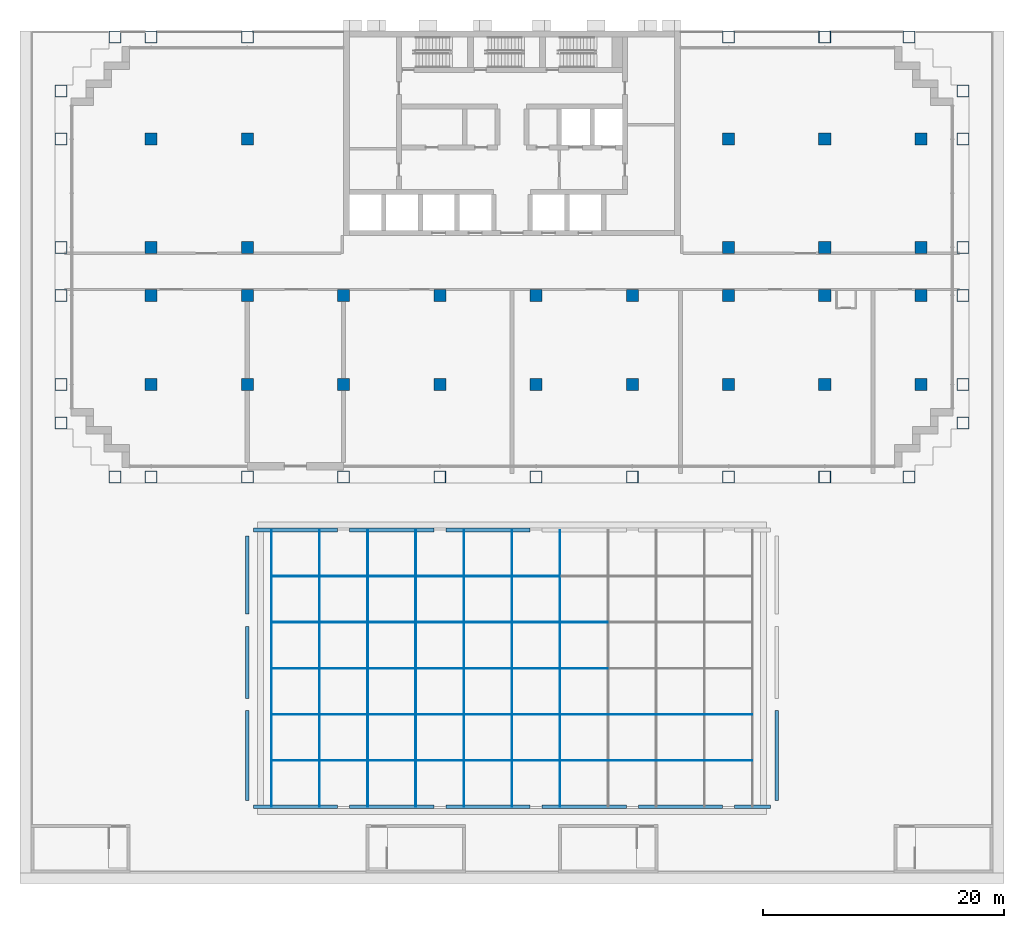
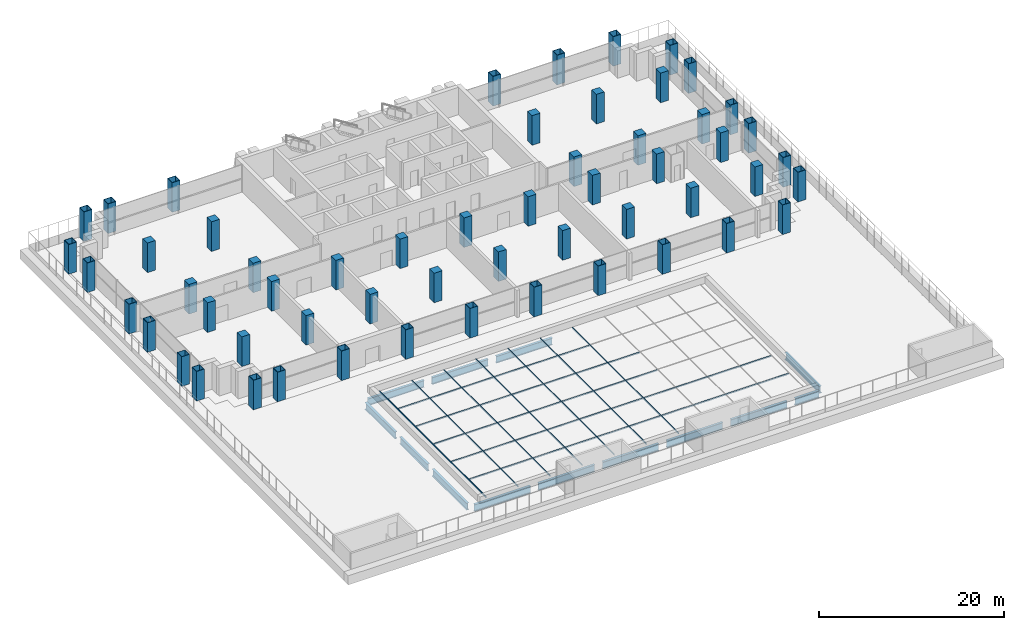
# One storey, part 1 of 16: 56 columns, 47 members, 13 beams, 1 element without a shape of its own.
"""IFC4 building model written with IfcOpenShell, lengths in metres."""

from ifc_helpers import new_model, si_unit, direction, frame, origin, origin_2d, place, context, subcontext, project, spatial, rectangle, hollow_rectangle, i_section, extrude, material, material_profile, profile_set, type_object, element, aggregate, save


model = new_model("IFC4")

# Units and contexts
model_context = context("Model", 3, precision=1e-05, world=origin(), true_north=direction((0.0, 1.0)))
body_context = subcontext(model_context, "Body", "Model", "MODEL_VIEW")
ifc_project = project(units=[si_unit("LENGTHUNIT", "METRE"), si_unit("AREAUNIT", "SQUARE_METRE"), si_unit("VOLUMEUNIT", "CUBIC_METRE"), si_unit("PLANEANGLEUNIT", "RADIAN"), si_unit("MASSUNIT", "GRAM", prefix="KILO")], contexts=[model_context])

# Site, building, storey
site_placement = place(None, origin())
site = spatial("IfcSite", under=ifc_project, at=site_placement, CompositionType="ELEMENT")
building_placement = place(site_placement, origin())
building = spatial("IfcBuilding", under=site, at=building_placement, Name="Vidyagriha Tower", CompositionType="ELEMENT")
storey_placement = place(building_placement, frame((0.0, 0.0, 26.0)))
storey = spatial("IfcBuildingStorey", under=building, at=storey_placement, Name="L06", CompositionType="ELEMENT", Elevation=26.0)

# Columns
ifc_material_1 = material(Name="Steel ASTM A572 Grade 50", Category="steel")
ifc_material_profile_1 = material_profile(ifc_material_1, hollow_rectangle(XDim=1.0, YDim=1.0, WallThickness=0.050048828125, at=origin_2d()), Name="BOX 1000x1000x50")
ifc_profile_set_1 = profile_set([ifc_material_profile_1], Name="Steel ASTM A572 Grade 50")
column_type_1 = type_object("IfcColumnType", Name="Exoskeleton column BOX 1000x1000x50", PredefinedType="COLUMN", material=ifc_profile_set_1)
for number, where, name in (
    (1, (-33.0, -17.10009765625, 0.0), "st-col-L06-B1-001"),
    (2, (-30.0, -17.10009765625, 0.0), "st-col-L06-B1-002"),
    (3, (-22.0, -17.10009765625, 0.0), "st-col-L06-B1-003"),
    (4, (-14.0, -17.10009765625, 0.0), "st-col-L06-B1-004"),
    (5, (-6.0, -17.10009765625, 0.0), "st-col-L06-B1-005"),
    (6, (2.0, -17.10009765625, 0.0), "st-col-L06-B1-006"),
    (7, (10.0, -17.10009765625, 0.0), "st-col-L06-B1-007"),
    (8, (18.0, -17.10009765625, 0.0), "st-col-L06-B1-008"),
    (9, (26.0, -17.10009765625, 0.0), "st-col-L06-B1-009"),
    (10, (33.0, -17.10009765625, 0.0), "st-col-L06-B1-010"),
    (11, (-37.5, -12.60009765625, 0.0), "st-col-L06-B1-011"),
    (12, (37.5, -12.60009765625, 0.0), "st-col-L06-B1-012"),
    (13, (-37.5, -9.39990234375, 0.0), "st-col-L06-B1-013"),
    (14, (37.5, -9.39990234375, 0.0), "st-col-L06-B1-023"),
    (15, (-37.5, -2.0, 0.0), "st-col-L06-B1-024"),
    (16, (37.5, -2.0, 0.0), "st-col-L06-B1-034"),
    (17, (-37.5, 2.0, 0.0), "st-col-L06-B1-035"),
    (18, (37.5, 2.0, 0.0), "st-col-L06-B1-041"),
    (19, (-37.5, 11.0, 0.0), "st-col-L06-B1-042"),
    (20, (37.5, 11.0, 0.0), "st-col-L06-B1-048"),
    (21, (-37.5, 15.0, 0.0), "st-col-L06-B1-049"),
    (22, (37.5, 15.0, 0.0), "st-col-L06-B1-050"),
    (23, (-33.0, 19.5, 0.0), "st-col-L06-B1-051"),
    (24, (-30.0, 19.5, 0.0), "st-col-L06-B1-052"),
    (25, (-22.0, 19.5, 0.0), "st-col-L06-B1-053"),
    (26, (18.0, 19.5, 0.0), "st-col-L06-B1-054"),
    (27, (26.0, 19.5, 0.0), "st-col-L06-B1-055"),
    (28, (33.0, 19.5, 0.0), "st-col-L06-B1-056"),
):
    element("IfcColumn", number, at=place(storey_placement, frame(where)), inside=storey, type_object=column_type_1, Name=name, PredefinedType="COLUMN", context=body_context, shape_type="SweptSolid", body=[
        extrude(hollow_rectangle(XDim=1.0, YDim=1.0, WallThickness=0.050048828125, at=origin_2d()), origin(), (0.0, 0.0, 1.0), 3.89990234375),
    ])
ifc_material_2 = material(Name="Concrete C80/95", Category="concrete")
ifc_material_profile_2 = material_profile(ifc_material_2, rectangle(XDim=1.0, YDim=1.0, at=origin_2d()), Name="RC 1000x1000")
ifc_profile_set_2 = profile_set([ifc_material_profile_2], Name="Concrete C80/95")
column_type_2 = type_object("IfcColumnType", Name="Frame column RC 1000x1000", PredefinedType="COLUMN", material=ifc_profile_set_2)
for number, where, name in (
    (29, (-30.0, -9.39990234375, 0.0), "st-col-L06-B1-014"),
    (30, (-22.0, -9.39990234375, 0.0), "st-col-L06-B1-015"),
    (31, (-14.0, -9.39990234375, 0.0), "st-col-L06-B1-016"),
    (32, (-6.0, -9.39990234375, 0.0), "st-col-L06-B1-017"),
    (33, (2.0, -9.39990234375, 0.0), "st-col-L06-B1-018"),
    (34, (10.0, -9.39990234375, 0.0), "st-col-L06-B1-019"),
    (35, (18.0, -9.39990234375, 0.0), "st-col-L06-B1-020"),
    (36, (26.0, -9.39990234375, 0.0), "st-col-L06-B1-021"),
    (37, (34.0, -9.39990234375, 0.0), "st-col-L06-B1-022"),
    (38, (-30.0, -2.0, 0.0), "st-col-L06-B1-025"),
    (39, (-22.0, -2.0, 0.0), "st-col-L06-B1-026"),
    (40, (-14.0, -2.0, 0.0), "st-col-L06-B1-027"),
    (41, (-6.0, -2.0, 0.0), "st-col-L06-B1-028"),
    (42, (2.0, -2.0, 0.0), "st-col-L06-B1-029"),
    (43, (10.0, -2.0, 0.0), "st-col-L06-B1-030"),
    (44, (18.0, -2.0, 0.0), "st-col-L06-B1-031"),
    (45, (26.0, -2.0, 0.0), "st-col-L06-B1-032"),
    (46, (34.0, -2.0, 0.0), "st-col-L06-B1-033"),
    (47, (-30.0, 2.0, 0.0), "st-col-L06-B1-036"),
    (48, (-22.0, 2.0, 0.0), "st-col-L06-B1-037"),
    (49, (18.0, 2.0, 0.0), "st-col-L06-B1-038"),
    (50, (26.0, 2.0, 0.0), "st-col-L06-B1-039"),
    (51, (34.0, 2.0, 0.0), "st-col-L06-B1-040"),
    (52, (-30.0, 11.0, 0.0), "st-col-L06-B1-043"),
    (53, (-22.0, 11.0, 0.0), "st-col-L06-B1-044"),
    (54, (18.0, 11.0, 0.0), "st-col-L06-B1-045"),
    (55, (26.0, 11.0, 0.0), "st-col-L06-B1-046"),
    (56, (34.0, 11.0, 0.0), "st-col-L06-B1-047"),
):
    element("IfcColumn", number, at=place(storey_placement, frame(where)), inside=storey, type_object=column_type_2, Name=name, PredefinedType="COLUMN", context=body_context, shape_type="SweptSolid", body=[
        extrude(rectangle(XDim=1.0, YDim=1.0, at=origin_2d()), origin(), (0.0, 0.0, 1.0), 3.89990234375),
    ])

# Beams
ifc_material_3 = material(Name="Steel ASTM A992 Grade 50", Category="steel")
ifc_material_profile_3 = material_profile(ifc_material_3, i_section(OverallWidth=0.303955078125, OverallDepth=0.911865234375, WebThickness=0.015869140625, FlangeThickness=0.02392578125, at=origin_2d()), Name="W36X150")
ifc_profile_set_3 = profile_set([ifc_material_profile_3], Name="Steel ASTM A992 Grade 50")
beam_type = type_object("IfcBeamType", Name="Atrium roof ring girder W36X150", PredefinedType="BEAM", material=ifc_profile_set_3)
for number, where, z_axis, x_axis, name in (
    (57, (-21.5, -44.5, -0.755859375), (1.0, 0.0, 0.0), (0.0, 1.0, 0.0), "st-beam-L06-AT01"),
    (58, (-13.5, -44.5, -0.755859375), (1.0, 0.0, 0.0), (0.0, 1.0, 0.0), "st-beam-L06-AT02"),
    (59, (-5.5, -44.5, -0.755859375), (1.0, 0.0, 0.0), (0.0, 1.0, 0.0), "st-beam-L06-AT03"),
    (60, (2.5, -44.5, -0.755859375), (1.0, 0.0, 0.0), (0.0, 1.0, 0.0), "st-beam-L06-AT04"),
    (61, (10.5, -44.5, -0.755859375), (1.0, 0.0, 0.0), (0.0, 1.0, 0.0), "st-beam-L06-AT05"),
):
    element("IfcBeam", number, at=place(storey_placement, frame(where, z_axis=z_axis, x_axis=x_axis)), inside=storey, type_object=beam_type, Name=name, PredefinedType="BEAM", context=body_context, shape_type="SweptSolid", body=[
        extrude(i_section(OverallWidth=0.303955078125, OverallDepth=0.911865234375, WebThickness=0.015869140625, FlangeThickness=0.02392578125, at=origin_2d()), origin(), (0.0, 0.0, 1.0), 7.0),
    ])
beam_1_placement = place(storey_placement, frame((18.5, -44.5, -0.755859375), z_axis=(1.0, 0.0, 0.0), x_axis=(0.0, 1.0, 0.0)))
element("IfcBeam", 62, at=beam_1_placement, inside=storey, type_object=beam_type, Name="st-beam-L06-AT06", PredefinedType="BEAM", context=body_context, shape_type="SweptSolid", body=[
    extrude(i_section(OverallWidth=0.303955078125, OverallDepth=0.911865234375, WebThickness=0.015869140625, FlangeThickness=0.02392578125, at=origin_2d()), origin(), (0.0, 0.0, 1.0), 3.0),
])
for number, where, z_axis, x_axis, name in (
    (63, (-21.5, -21.5, -0.755859375), (1.0, 0.0, 0.0), (0.0, 1.0, 0.0), "st-beam-L06-AT07"),
    (64, (-13.5, -21.5, -0.755859375), (1.0, 0.0, 0.0), (0.0, 1.0, 0.0), "st-beam-L06-AT08"),
    (65, (-5.5, -21.5, -0.755859375), (1.0, 0.0, 0.0), (0.0, 1.0, 0.0), "st-beam-L06-AT09"),
):
    element("IfcBeam", number, at=place(storey_placement, frame(where, z_axis=z_axis, x_axis=x_axis)), inside=storey, type_object=beam_type, Name=name, PredefinedType="BEAM", context=body_context, shape_type="SweptSolid", body=[
        extrude(i_section(OverallWidth=0.303955078125, OverallDepth=0.911865234375, WebThickness=0.015869140625, FlangeThickness=0.02392578125, at=origin_2d()), origin(), (0.0, 0.0, 1.0), 7.0),
    ])
beam_2_placement = place(storey_placement, frame((-22.0, -44.0, -0.755859375), z_axis=(0.0, 1.0, 0.0), x_axis=(-1.0, 0.0, 0.0)))
element("IfcBeam", 66, at=beam_2_placement, inside=storey, type_object=beam_type, Name="st-beam-L06-AT13", PredefinedType="BEAM", context=body_context, shape_type="SweptSolid", body=[
    extrude(i_section(OverallWidth=0.303955078125, OverallDepth=0.911865234375, WebThickness=0.015869140625, FlangeThickness=0.02392578125, at=origin_2d()), origin(), (0.0, 0.0, 1.0), 7.5),
])
beam_3_placement = place(storey_placement, frame((-22.0, -35.5, -0.755859375), z_axis=(0.0, 1.0, 0.0), x_axis=(-1.0, 0.0, 0.0)))
element("IfcBeam", 67, at=beam_3_placement, inside=storey, type_object=beam_type, Name="st-beam-L06-AT14", PredefinedType="BEAM", context=body_context, shape_type="SweptSolid", body=[
    extrude(i_section(OverallWidth=0.303955078125, OverallDepth=0.911865234375, WebThickness=0.015869140625, FlangeThickness=0.02392578125, at=origin_2d()), origin(), (0.0, 0.0, 1.0), 6.0),
])
beam_4_placement = place(storey_placement, frame((-22.0, -28.5, -0.755859375), z_axis=(0.0, 1.0, 0.0), x_axis=(-1.0, 0.0, 0.0)))
element("IfcBeam", 68, at=beam_4_placement, inside=storey, type_object=beam_type, Name="st-beam-L06-AT15", PredefinedType="BEAM", context=body_context, shape_type="SweptSolid", body=[
    extrude(i_section(OverallWidth=0.303955078125, OverallDepth=0.911865234375, WebThickness=0.015869140625, FlangeThickness=0.02392578125, at=origin_2d()), origin(), (0.0, 0.0, 1.0), 6.5),
])
beam_5_placement = place(storey_placement, frame((22.0, -44.0, -0.755859375), z_axis=(0.0, 1.0, 0.0), x_axis=(-1.0, 0.0, 0.0)))
element("IfcBeam", 69, at=beam_5_placement, inside=storey, type_object=beam_type, Name="st-beam-L06-AT16", PredefinedType="BEAM", context=body_context, shape_type="SweptSolid", body=[
    extrude(i_section(OverallWidth=0.303955078125, OverallDepth=0.911865234375, WebThickness=0.015869140625, FlangeThickness=0.02392578125, at=origin_2d()), origin(), (0.0, 0.0, 1.0), 7.5),
])

# Curtain wall, members
ifc_material_4 = material(Name="Aluminium and glass curtain wall", Category="aluminium")
curtain_wall_type = type_object("IfcCurtainWallType", Name="Atrium rooflight curtain wall", PredefinedType="USERDEFINED", material=ifc_material_4)
curtain_wall_placement = place(storey_placement, origin())
curtain_wall = element("IfcCurtainWall", 70, at=curtain_wall_placement, inside=storey, type_object=curtain_wall_type, Name="CW8 atrium rooflight", ObjectType="STICK GLAZING", PredefinedType="USERDEFINED")
ifc_material_5 = material(Name="Aluminium black anodised", Category="aluminium")
ifc_material_profile_4 = material_profile(ifc_material_5, rectangle(XDim=0.06005859375, YDim=0.199951171875, at=origin_2d()), Name="Rooflight glazing bar 60x200 black aluminium")
ifc_profile_set_4 = profile_set([ifc_material_profile_4], Name="Aluminium black anodised")
member_type_1 = type_object("IfcMemberType", Name="Rooflight glazing bar 60x200 black aluminium", PredefinedType="MULLION", material=ifc_profile_set_4)
member_1_placement = place(storey_placement, frame((-20.0, -44.5, 0.10009765625), z_axis=(0.0, 1.0, 0.0), x_axis=(-1.0, 0.0, 0.0)))
member_1 = element("IfcMember", 71, at=member_1_placement, type_object=member_type_1, Name="Rooflight bar 1", PredefinedType="MULLION", context=body_context, shape_type="SweptSolid", body=[
    extrude(rectangle(XDim=0.06005859375, YDim=0.199951171875, at=origin_2d()), origin(), (0.0, 0.0, 1.0), 23.0),
])
member_2_placement = place(storey_placement, frame((-16.0, -44.5, 0.10009765625), z_axis=(0.0, 1.0, 0.0), x_axis=(-1.0, 0.0, 0.0)))
member_2 = element("IfcMember", 72, at=member_2_placement, type_object=member_type_1, Name="Rooflight bar 2", PredefinedType="MULLION", context=body_context, shape_type="SweptSolid", body=[
    extrude(rectangle(XDim=0.06005859375, YDim=0.199951171875, at=origin_2d()), origin(), (0.0, 0.0, 1.0), 23.0),
])
member_3_placement = place(storey_placement, frame((-12.0, -44.5, 0.10009765625), z_axis=(0.0, 1.0, 0.0), x_axis=(-1.0, 0.0, 0.0)))
member_3 = element("IfcMember", 73, at=member_3_placement, type_object=member_type_1, Name="Rooflight bar 3", PredefinedType="MULLION", context=body_context, shape_type="SweptSolid", body=[
    extrude(rectangle(XDim=0.06005859375, YDim=0.199951171875, at=origin_2d()), origin(), (0.0, 0.0, 1.0), 23.0),
])
member_4_placement = place(storey_placement, frame((-8.0, -44.5, 0.10009765625), z_axis=(0.0, 1.0, 0.0), x_axis=(-1.0, 0.0, 0.0)))
member_4 = element("IfcMember", 74, at=member_4_placement, type_object=member_type_1, Name="Rooflight bar 4", PredefinedType="MULLION", context=body_context, shape_type="SweptSolid", body=[
    extrude(rectangle(XDim=0.06005859375, YDim=0.199951171875, at=origin_2d()), origin(), (0.0, 0.0, 1.0), 23.0),
])
member_5_placement = place(storey_placement, frame((-4.0, -44.5, 0.10009765625), z_axis=(0.0, 1.0, 0.0), x_axis=(-1.0, 0.0, 0.0)))
member_5 = element("IfcMember", 75, at=member_5_placement, type_object=member_type_1, Name="Rooflight bar 5", PredefinedType="MULLION", context=body_context, shape_type="SweptSolid", body=[
    extrude(rectangle(XDim=0.06005859375, YDim=0.199951171875, at=origin_2d()), origin(), (0.0, 0.0, 1.0), 23.0),
])
member_6_placement = place(storey_placement, frame((0.0, -44.5, 0.10009765625), z_axis=(0.0, 1.0, 0.0), x_axis=(-1.0, 0.0, 0.0)))
member_6 = element("IfcMember", 76, at=member_6_placement, type_object=member_type_1, Name="Rooflight bar 6", PredefinedType="MULLION", context=body_context, shape_type="SweptSolid", body=[
    extrude(rectangle(XDim=0.06005859375, YDim=0.199951171875, at=origin_2d()), origin(), (0.0, 0.0, 1.0), 23.0),
])
member_7_placement = place(storey_placement, frame((4.0, -44.5, 0.10009765625), z_axis=(0.0, 1.0, 0.0), x_axis=(-1.0, 0.0, 0.0)))
member_7 = element("IfcMember", 77, at=member_7_placement, type_object=member_type_1, Name="Rooflight bar 7", PredefinedType="MULLION", context=body_context, shape_type="SweptSolid", body=[
    extrude(rectangle(XDim=0.06005859375, YDim=0.199951171875, at=origin_2d()), origin(), (0.0, 0.0, 1.0), 23.0),
])
ifc_material_6 = material(Name="Aluminium black anodised", Category="aluminium")
ifc_material_profile_5 = material_profile(ifc_material_6, rectangle(XDim=0.06005859375, YDim=0.1201171875, at=origin_2d()), Name="Rooflight transverse bar 60x120 black aluminium")
ifc_profile_set_5 = profile_set([ifc_material_profile_5], Name="Aluminium black anodised")
member_type_2 = type_object("IfcMemberType", Name="Rooflight transverse bar 60x120 black aluminium", PredefinedType="USERDEFINED", material=ifc_profile_set_5)
member_8_placement = place(storey_placement, frame((-19.969970703125, -40.666748046875, 0.06005859375), z_axis=(1.0, 0.0, 0.0), x_axis=(0.0, 1.0, 0.0)))
member_8 = element("IfcMember", 78, at=member_8_placement, type_object=member_type_2, Name="Rooflight transverse bar 1.1", ObjectType="TRANSOM", PredefinedType="USERDEFINED", context=body_context, shape_type="SweptSolid", body=[
    extrude(rectangle(XDim=0.06005859375, YDim=0.1201171875, at=origin_2d()), origin(), (0.0, 0.0, 1.0), 3.93994140625),
])
member_9_placement = place(storey_placement, frame((-19.969970703125, -36.833251953125, 0.06005859375), z_axis=(1.0, 0.0, 0.0), x_axis=(0.0, 1.0, 0.0)))
member_9 = element("IfcMember", 79, at=member_9_placement, type_object=member_type_2, Name="Rooflight transverse bar 1.2", ObjectType="TRANSOM", PredefinedType="USERDEFINED", context=body_context, shape_type="SweptSolid", body=[
    extrude(rectangle(XDim=0.06005859375, YDim=0.1201171875, at=origin_2d()), origin(), (0.0, 0.0, 1.0), 3.93994140625),
])
member_10_placement = place(storey_placement, frame((-19.969970703125, -33.0, 0.06005859375), z_axis=(1.0, 0.0, 0.0), x_axis=(0.0, 1.0, 0.0)))
member_10 = element("IfcMember", 80, at=member_10_placement, type_object=member_type_2, Name="Rooflight transverse bar 1.3", ObjectType="TRANSOM", PredefinedType="USERDEFINED", context=body_context, shape_type="SweptSolid", body=[
    extrude(rectangle(XDim=0.06005859375, YDim=0.1201171875, at=origin_2d()), origin(), (0.0, 0.0, 1.0), 3.93994140625),
])
member_11_placement = place(storey_placement, frame((-19.969970703125, -29.166748046875, 0.06005859375), z_axis=(1.0, 0.0, 0.0), x_axis=(0.0, 1.0, 0.0)))
member_11 = element("IfcMember", 81, at=member_11_placement, type_object=member_type_2, Name="Rooflight transverse bar 1.4", ObjectType="TRANSOM", PredefinedType="USERDEFINED", context=body_context, shape_type="SweptSolid", body=[
    extrude(rectangle(XDim=0.06005859375, YDim=0.1201171875, at=origin_2d()), origin(), (0.0, 0.0, 1.0), 3.93994140625),
])
member_12_placement = place(storey_placement, frame((-19.969970703125, -25.333251953125, 0.06005859375), z_axis=(1.0, 0.0, 0.0), x_axis=(0.0, 1.0, 0.0)))
member_12 = element("IfcMember", 82, at=member_12_placement, type_object=member_type_2, Name="Rooflight transverse bar 1.5", ObjectType="TRANSOM", PredefinedType="USERDEFINED", context=body_context, shape_type="SweptSolid", body=[
    extrude(rectangle(XDim=0.06005859375, YDim=0.1201171875, at=origin_2d()), origin(), (0.0, 0.0, 1.0), 3.93994140625),
])
member_13_placement = place(storey_placement, frame((-15.969970703125, -40.666748046875, 0.06005859375), z_axis=(1.0, 0.0, 0.0), x_axis=(0.0, 1.0, 0.0)))
member_13 = element("IfcMember", 83, at=member_13_placement, type_object=member_type_2, Name="Rooflight transverse bar 2.1", ObjectType="TRANSOM", PredefinedType="USERDEFINED", context=body_context, shape_type="SweptSolid", body=[
    extrude(rectangle(XDim=0.06005859375, YDim=0.1201171875, at=origin_2d()), origin(), (0.0, 0.0, 1.0), 3.93994140625),
])
member_14_placement = place(storey_placement, frame((-15.969970703125, -36.833251953125, 0.06005859375), z_axis=(1.0, 0.0, 0.0), x_axis=(0.0, 1.0, 0.0)))
member_14 = element("IfcMember", 84, at=member_14_placement, type_object=member_type_2, Name="Rooflight transverse bar 2.2", ObjectType="TRANSOM", PredefinedType="USERDEFINED", context=body_context, shape_type="SweptSolid", body=[
    extrude(rectangle(XDim=0.06005859375, YDim=0.1201171875, at=origin_2d()), origin(), (0.0, 0.0, 1.0), 3.93994140625),
])
member_15_placement = place(storey_placement, frame((-15.969970703125, -33.0, 0.06005859375), z_axis=(1.0, 0.0, 0.0), x_axis=(0.0, 1.0, 0.0)))
member_15 = element("IfcMember", 85, at=member_15_placement, type_object=member_type_2, Name="Rooflight transverse bar 2.3", ObjectType="TRANSOM", PredefinedType="USERDEFINED", context=body_context, shape_type="SweptSolid", body=[
    extrude(rectangle(XDim=0.06005859375, YDim=0.1201171875, at=origin_2d()), origin(), (0.0, 0.0, 1.0), 3.93994140625),
])
member_16_placement = place(storey_placement, frame((-15.969970703125, -29.166748046875, 0.06005859375), z_axis=(1.0, 0.0, 0.0), x_axis=(0.0, 1.0, 0.0)))
member_16 = element("IfcMember", 86, at=member_16_placement, type_object=member_type_2, Name="Rooflight transverse bar 2.4", ObjectType="TRANSOM", PredefinedType="USERDEFINED", context=body_context, shape_type="SweptSolid", body=[
    extrude(rectangle(XDim=0.06005859375, YDim=0.1201171875, at=origin_2d()), origin(), (0.0, 0.0, 1.0), 3.93994140625),
])
member_17_placement = place(storey_placement, frame((-15.969970703125, -25.333251953125, 0.06005859375), z_axis=(1.0, 0.0, 0.0), x_axis=(0.0, 1.0, 0.0)))
member_17 = element("IfcMember", 87, at=member_17_placement, type_object=member_type_2, Name="Rooflight transverse bar 2.5", ObjectType="TRANSOM", PredefinedType="USERDEFINED", context=body_context, shape_type="SweptSolid", body=[
    extrude(rectangle(XDim=0.06005859375, YDim=0.1201171875, at=origin_2d()), origin(), (0.0, 0.0, 1.0), 3.93994140625),
])
member_18_placement = place(storey_placement, frame((-11.969970703125, -40.666748046875, 0.06005859375), z_axis=(1.0, 0.0, 0.0), x_axis=(0.0, 1.0, 0.0)))
member_18 = element("IfcMember", 88, at=member_18_placement, type_object=member_type_2, Name="Rooflight transverse bar 3.1", ObjectType="TRANSOM", PredefinedType="USERDEFINED", context=body_context, shape_type="SweptSolid", body=[
    extrude(rectangle(XDim=0.06005859375, YDim=0.1201171875, at=origin_2d()), origin(), (0.0, 0.0, 1.0), 3.93994140625),
])
member_19_placement = place(storey_placement, frame((-11.969970703125, -36.833251953125, 0.06005859375), z_axis=(1.0, 0.0, 0.0), x_axis=(0.0, 1.0, 0.0)))
member_19 = element("IfcMember", 89, at=member_19_placement, type_object=member_type_2, Name="Rooflight transverse bar 3.2", ObjectType="TRANSOM", PredefinedType="USERDEFINED", context=body_context, shape_type="SweptSolid", body=[
    extrude(rectangle(XDim=0.06005859375, YDim=0.1201171875, at=origin_2d()), origin(), (0.0, 0.0, 1.0), 3.93994140625),
])
member_20_placement = place(storey_placement, frame((-11.969970703125, -33.0, 0.06005859375), z_axis=(1.0, 0.0, 0.0), x_axis=(0.0, 1.0, 0.0)))
member_20 = element("IfcMember", 90, at=member_20_placement, type_object=member_type_2, Name="Rooflight transverse bar 3.3", ObjectType="TRANSOM", PredefinedType="USERDEFINED", context=body_context, shape_type="SweptSolid", body=[
    extrude(rectangle(XDim=0.06005859375, YDim=0.1201171875, at=origin_2d()), origin(), (0.0, 0.0, 1.0), 3.93994140625),
])
member_21_placement = place(storey_placement, frame((-11.969970703125, -29.166748046875, 0.06005859375), z_axis=(1.0, 0.0, 0.0), x_axis=(0.0, 1.0, 0.0)))
member_21 = element("IfcMember", 91, at=member_21_placement, type_object=member_type_2, Name="Rooflight transverse bar 3.4", ObjectType="TRANSOM", PredefinedType="USERDEFINED", context=body_context, shape_type="SweptSolid", body=[
    extrude(rectangle(XDim=0.06005859375, YDim=0.1201171875, at=origin_2d()), origin(), (0.0, 0.0, 1.0), 3.93994140625),
])
member_22_placement = place(storey_placement, frame((-11.969970703125, -25.333251953125, 0.06005859375), z_axis=(1.0, 0.0, 0.0), x_axis=(0.0, 1.0, 0.0)))
member_22 = element("IfcMember", 92, at=member_22_placement, type_object=member_type_2, Name="Rooflight transverse bar 3.5", ObjectType="TRANSOM", PredefinedType="USERDEFINED", context=body_context, shape_type="SweptSolid", body=[
    extrude(rectangle(XDim=0.06005859375, YDim=0.1201171875, at=origin_2d()), origin(), (0.0, 0.0, 1.0), 3.93994140625),
])
member_23_placement = place(storey_placement, frame((-7.969970703125, -40.666748046875, 0.06005859375), z_axis=(1.0, 0.0, 0.0), x_axis=(0.0, 1.0, 0.0)))
member_23 = element("IfcMember", 93, at=member_23_placement, type_object=member_type_2, Name="Rooflight transverse bar 4.1", ObjectType="TRANSOM", PredefinedType="USERDEFINED", context=body_context, shape_type="SweptSolid", body=[
    extrude(rectangle(XDim=0.06005859375, YDim=0.1201171875, at=origin_2d()), origin(), (0.0, 0.0, 1.0), 3.93994140625),
])
member_24_placement = place(storey_placement, frame((-7.969970703125, -36.833251953125, 0.06005859375), z_axis=(1.0, 0.0, 0.0), x_axis=(0.0, 1.0, 0.0)))
member_24 = element("IfcMember", 94, at=member_24_placement, type_object=member_type_2, Name="Rooflight transverse bar 4.2", ObjectType="TRANSOM", PredefinedType="USERDEFINED", context=body_context, shape_type="SweptSolid", body=[
    extrude(rectangle(XDim=0.06005859375, YDim=0.1201171875, at=origin_2d()), origin(), (0.0, 0.0, 1.0), 3.93994140625),
])
member_25_placement = place(storey_placement, frame((-7.969970703125, -33.0, 0.06005859375), z_axis=(1.0, 0.0, 0.0), x_axis=(0.0, 1.0, 0.0)))
member_25 = element("IfcMember", 95, at=member_25_placement, type_object=member_type_2, Name="Rooflight transverse bar 4.3", ObjectType="TRANSOM", PredefinedType="USERDEFINED", context=body_context, shape_type="SweptSolid", body=[
    extrude(rectangle(XDim=0.06005859375, YDim=0.1201171875, at=origin_2d()), origin(), (0.0, 0.0, 1.0), 3.93994140625),
])
member_26_placement = place(storey_placement, frame((-7.969970703125, -29.166748046875, 0.06005859375), z_axis=(1.0, 0.0, 0.0), x_axis=(0.0, 1.0, 0.0)))
member_26 = element("IfcMember", 96, at=member_26_placement, type_object=member_type_2, Name="Rooflight transverse bar 4.4", ObjectType="TRANSOM", PredefinedType="USERDEFINED", context=body_context, shape_type="SweptSolid", body=[
    extrude(rectangle(XDim=0.06005859375, YDim=0.1201171875, at=origin_2d()), origin(), (0.0, 0.0, 1.0), 3.93994140625),
])
member_27_placement = place(storey_placement, frame((-7.969970703125, -25.333251953125, 0.06005859375), z_axis=(1.0, 0.0, 0.0), x_axis=(0.0, 1.0, 0.0)))
member_27 = element("IfcMember", 97, at=member_27_placement, type_object=member_type_2, Name="Rooflight transverse bar 4.5", ObjectType="TRANSOM", PredefinedType="USERDEFINED", context=body_context, shape_type="SweptSolid", body=[
    extrude(rectangle(XDim=0.06005859375, YDim=0.1201171875, at=origin_2d()), origin(), (0.0, 0.0, 1.0), 3.93994140625),
])
member_28_placement = place(storey_placement, frame((-3.969970703125, -40.666748046875, 0.06005859375), z_axis=(1.0, 0.0, 0.0), x_axis=(0.0, 1.0, 0.0)))
member_28 = element("IfcMember", 98, at=member_28_placement, type_object=member_type_2, Name="Rooflight transverse bar 5.1", ObjectType="TRANSOM", PredefinedType="USERDEFINED", context=body_context, shape_type="SweptSolid", body=[
    extrude(rectangle(XDim=0.06005859375, YDim=0.1201171875, at=origin_2d()), origin(), (0.0, 0.0, 1.0), 3.93994140625),
])
member_29_placement = place(storey_placement, frame((-3.969970703125, -36.833251953125, 0.06005859375), z_axis=(1.0, 0.0, 0.0), x_axis=(0.0, 1.0, 0.0)))
member_29 = element("IfcMember", 99, at=member_29_placement, type_object=member_type_2, Name="Rooflight transverse bar 5.2", ObjectType="TRANSOM", PredefinedType="USERDEFINED", context=body_context, shape_type="SweptSolid", body=[
    extrude(rectangle(XDim=0.06005859375, YDim=0.1201171875, at=origin_2d()), origin(), (0.0, 0.0, 1.0), 3.93994140625),
])
member_30_placement = place(storey_placement, frame((-3.969970703125, -33.0, 0.06005859375), z_axis=(1.0, 0.0, 0.0), x_axis=(0.0, 1.0, 0.0)))
member_30 = element("IfcMember", 100, at=member_30_placement, type_object=member_type_2, Name="Rooflight transverse bar 5.3", ObjectType="TRANSOM", PredefinedType="USERDEFINED", context=body_context, shape_type="SweptSolid", body=[
    extrude(rectangle(XDim=0.06005859375, YDim=0.1201171875, at=origin_2d()), origin(), (0.0, 0.0, 1.0), 3.93994140625),
])
member_31_placement = place(storey_placement, frame((-3.969970703125, -29.166748046875, 0.06005859375), z_axis=(1.0, 0.0, 0.0), x_axis=(0.0, 1.0, 0.0)))
member_31 = element("IfcMember", 101, at=member_31_placement, type_object=member_type_2, Name="Rooflight transverse bar 5.4", ObjectType="TRANSOM", PredefinedType="USERDEFINED", context=body_context, shape_type="SweptSolid", body=[
    extrude(rectangle(XDim=0.06005859375, YDim=0.1201171875, at=origin_2d()), origin(), (0.0, 0.0, 1.0), 3.93994140625),
])
member_32_placement = place(storey_placement, frame((-3.969970703125, -25.333251953125, 0.06005859375), z_axis=(1.0, 0.0, 0.0), x_axis=(0.0, 1.0, 0.0)))
member_32 = element("IfcMember", 102, at=member_32_placement, type_object=member_type_2, Name="Rooflight transverse bar 5.5", ObjectType="TRANSOM", PredefinedType="USERDEFINED", context=body_context, shape_type="SweptSolid", body=[
    extrude(rectangle(XDim=0.06005859375, YDim=0.1201171875, at=origin_2d()), origin(), (0.0, 0.0, 1.0), 3.93994140625),
])
member_33_placement = place(storey_placement, frame((0.030029296875, -40.666748046875, 0.06005859375), z_axis=(1.0, 0.0, 0.0), x_axis=(0.0, 1.0, 0.0)))
member_33 = element("IfcMember", 103, at=member_33_placement, type_object=member_type_2, Name="Rooflight transverse bar 6.1", ObjectType="TRANSOM", PredefinedType="USERDEFINED", context=body_context, shape_type="SweptSolid", body=[
    extrude(rectangle(XDim=0.06005859375, YDim=0.1201171875, at=origin_2d()), origin(), (0.0, 0.0, 1.0), 3.93994140625),
])
member_34_placement = place(storey_placement, frame((0.030029296875, -36.833251953125, 0.06005859375), z_axis=(1.0, 0.0, 0.0), x_axis=(0.0, 1.0, 0.0)))
member_34 = element("IfcMember", 104, at=member_34_placement, type_object=member_type_2, Name="Rooflight transverse bar 6.2", ObjectType="TRANSOM", PredefinedType="USERDEFINED", context=body_context, shape_type="SweptSolid", body=[
    extrude(rectangle(XDim=0.06005859375, YDim=0.1201171875, at=origin_2d()), origin(), (0.0, 0.0, 1.0), 3.93994140625),
])
member_35_placement = place(storey_placement, frame((0.030029296875, -33.0, 0.06005859375), z_axis=(1.0, 0.0, 0.0), x_axis=(0.0, 1.0, 0.0)))
member_35 = element("IfcMember", 105, at=member_35_placement, type_object=member_type_2, Name="Rooflight transverse bar 6.3", ObjectType="TRANSOM", PredefinedType="USERDEFINED", context=body_context, shape_type="SweptSolid", body=[
    extrude(rectangle(XDim=0.06005859375, YDim=0.1201171875, at=origin_2d()), origin(), (0.0, 0.0, 1.0), 3.93994140625),
])
member_36_placement = place(storey_placement, frame((0.030029296875, -29.166748046875, 0.06005859375), z_axis=(1.0, 0.0, 0.0), x_axis=(0.0, 1.0, 0.0)))
member_36 = element("IfcMember", 106, at=member_36_placement, type_object=member_type_2, Name="Rooflight transverse bar 6.4", ObjectType="TRANSOM", PredefinedType="USERDEFINED", context=body_context, shape_type="SweptSolid", body=[
    extrude(rectangle(XDim=0.06005859375, YDim=0.1201171875, at=origin_2d()), origin(), (0.0, 0.0, 1.0), 3.93994140625),
])
member_37_placement = place(storey_placement, frame((0.030029296875, -25.333251953125, 0.06005859375), z_axis=(1.0, 0.0, 0.0), x_axis=(0.0, 1.0, 0.0)))
member_37 = element("IfcMember", 107, at=member_37_placement, type_object=member_type_2, Name="Rooflight transverse bar 6.5", ObjectType="TRANSOM", PredefinedType="USERDEFINED", context=body_context, shape_type="SweptSolid", body=[
    extrude(rectangle(XDim=0.06005859375, YDim=0.1201171875, at=origin_2d()), origin(), (0.0, 0.0, 1.0), 3.93994140625),
])
member_38_placement = place(storey_placement, frame((4.030029296875, -40.666748046875, 0.06005859375), z_axis=(1.0, 0.0, 0.0), x_axis=(0.0, 1.0, 0.0)))
member_38 = element("IfcMember", 108, at=member_38_placement, type_object=member_type_2, Name="Rooflight transverse bar 7.1", ObjectType="TRANSOM", PredefinedType="USERDEFINED", context=body_context, shape_type="SweptSolid", body=[
    extrude(rectangle(XDim=0.06005859375, YDim=0.1201171875, at=origin_2d()), origin(), (0.0, 0.0, 1.0), 3.93994140625),
])
member_39_placement = place(storey_placement, frame((4.030029296875, -36.833251953125, 0.06005859375), z_axis=(1.0, 0.0, 0.0), x_axis=(0.0, 1.0, 0.0)))
member_39 = element("IfcMember", 109, at=member_39_placement, type_object=member_type_2, Name="Rooflight transverse bar 7.2", ObjectType="TRANSOM", PredefinedType="USERDEFINED", context=body_context, shape_type="SweptSolid", body=[
    extrude(rectangle(XDim=0.06005859375, YDim=0.1201171875, at=origin_2d()), origin(), (0.0, 0.0, 1.0), 3.93994140625),
])
member_40_placement = place(storey_placement, frame((4.030029296875, -33.0, 0.06005859375), z_axis=(1.0, 0.0, 0.0), x_axis=(0.0, 1.0, 0.0)))
member_40 = element("IfcMember", 110, at=member_40_placement, type_object=member_type_2, Name="Rooflight transverse bar 7.3", ObjectType="TRANSOM", PredefinedType="USERDEFINED", context=body_context, shape_type="SweptSolid", body=[
    extrude(rectangle(XDim=0.06005859375, YDim=0.1201171875, at=origin_2d()), origin(), (0.0, 0.0, 1.0), 3.93994140625),
])
member_41_placement = place(storey_placement, frame((4.030029296875, -29.166748046875, 0.06005859375), z_axis=(1.0, 0.0, 0.0), x_axis=(0.0, 1.0, 0.0)))
member_41 = element("IfcMember", 111, at=member_41_placement, type_object=member_type_2, Name="Rooflight transverse bar 7.4", ObjectType="TRANSOM", PredefinedType="USERDEFINED", context=body_context, shape_type="SweptSolid", body=[
    extrude(rectangle(XDim=0.06005859375, YDim=0.1201171875, at=origin_2d()), origin(), (0.0, 0.0, 1.0), 3.93994140625),
])
member_42_placement = place(storey_placement, frame((8.030029296875, -40.666748046875, 0.06005859375), z_axis=(1.0, 0.0, 0.0), x_axis=(0.0, 1.0, 0.0)))
member_42 = element("IfcMember", 112, at=member_42_placement, type_object=member_type_2, Name="Rooflight transverse bar 8.1", ObjectType="TRANSOM", PredefinedType="USERDEFINED", context=body_context, shape_type="SweptSolid", body=[
    extrude(rectangle(XDim=0.06005859375, YDim=0.1201171875, at=origin_2d()), origin(), (0.0, 0.0, 1.0), 3.93994140625),
])
member_43_placement = place(storey_placement, frame((8.030029296875, -36.833251953125, 0.06005859375), z_axis=(1.0, 0.0, 0.0), x_axis=(0.0, 1.0, 0.0)))
member_43 = element("IfcMember", 113, at=member_43_placement, type_object=member_type_2, Name="Rooflight transverse bar 8.2", ObjectType="TRANSOM", PredefinedType="USERDEFINED", context=body_context, shape_type="SweptSolid", body=[
    extrude(rectangle(XDim=0.06005859375, YDim=0.1201171875, at=origin_2d()), origin(), (0.0, 0.0, 1.0), 3.93994140625),
])
member_44_placement = place(storey_placement, frame((12.030029296875, -40.666748046875, 0.06005859375), z_axis=(1.0, 0.0, 0.0), x_axis=(0.0, 1.0, 0.0)))
member_44 = element("IfcMember", 114, at=member_44_placement, type_object=member_type_2, Name="Rooflight transverse bar 9.1", ObjectType="TRANSOM", PredefinedType="USERDEFINED", context=body_context, shape_type="SweptSolid", body=[
    extrude(rectangle(XDim=0.06005859375, YDim=0.1201171875, at=origin_2d()), origin(), (0.0, 0.0, 1.0), 3.93994140625),
])
member_45_placement = place(storey_placement, frame((12.030029296875, -36.833251953125, 0.06005859375), z_axis=(1.0, 0.0, 0.0), x_axis=(0.0, 1.0, 0.0)))
member_45 = element("IfcMember", 115, at=member_45_placement, type_object=member_type_2, Name="Rooflight transverse bar 9.2", ObjectType="TRANSOM", PredefinedType="USERDEFINED", context=body_context, shape_type="SweptSolid", body=[
    extrude(rectangle(XDim=0.06005859375, YDim=0.1201171875, at=origin_2d()), origin(), (0.0, 0.0, 1.0), 3.93994140625),
])
member_46_placement = place(storey_placement, frame((16.030029296875, -40.666748046875, 0.06005859375), z_axis=(1.0, 0.0, 0.0), x_axis=(0.0, 1.0, 0.0)))
member_46 = element("IfcMember", 116, at=member_46_placement, type_object=member_type_2, Name="Rooflight transverse bar 10.1", ObjectType="TRANSOM", PredefinedType="USERDEFINED", context=body_context, shape_type="SweptSolid", body=[
    extrude(rectangle(XDim=0.06005859375, YDim=0.1201171875, at=origin_2d()), origin(), (0.0, 0.0, 1.0), 3.93994140625),
])
member_47_placement = place(storey_placement, frame((16.030029296875, -36.833251953125, 0.06005859375), z_axis=(1.0, 0.0, 0.0), x_axis=(0.0, 1.0, 0.0)))
member_47 = element("IfcMember", 117, at=member_47_placement, type_object=member_type_2, Name="Rooflight transverse bar 10.2", ObjectType="TRANSOM", PredefinedType="USERDEFINED", context=body_context, shape_type="SweptSolid", body=[
    extrude(rectangle(XDim=0.06005859375, YDim=0.1201171875, at=origin_2d()), origin(), (0.0, 0.0, 1.0), 3.93994140625),
])
aggregate(curtain_wall, [member_1, member_2, member_3, member_4, member_5, member_6, member_7, member_8, member_9, member_10, member_11, member_12, member_13, member_14, member_15, member_16, member_17, member_18, member_19, member_20, member_21, member_22, member_23, member_24, member_25, member_26, member_27, member_28, member_29, member_30, member_31, member_32, member_33, member_34, member_35, member_36, member_37, member_38, member_39, member_40, member_41, member_42, member_43, member_44, member_45, member_46, member_47])

save(model, "model.ifc")
